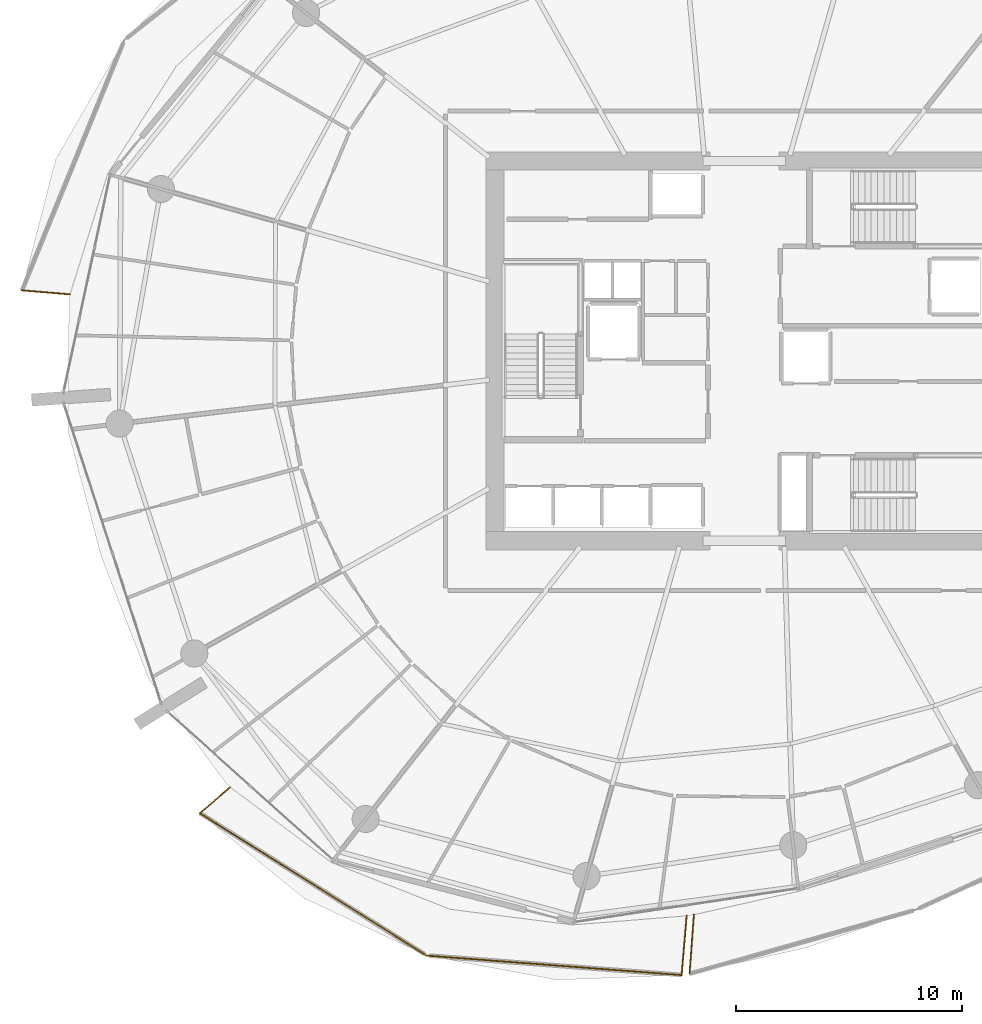
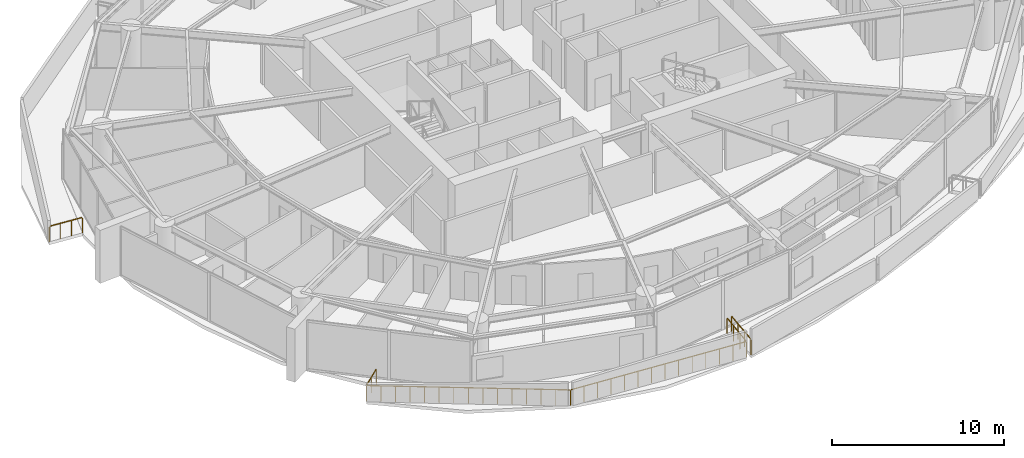
# One storey, part 17 of 23: 6 railings.
"""IFC4 building model written with IfcOpenShell, lengths in metres."""

from ifc_helpers import new_model, si_unit, direction, frame, origin, origin_2d, place, context, subcontext, project, spatial, rectangle, extrude, material, type_object, element, save


model = new_model("IFC4")

# Units and contexts
model_context = context("Model", 3, precision=1e-05, world=origin(), true_north=direction((0.0, 1.0)))
body_context = subcontext(model_context, "Body", "Model", "MODEL_VIEW")
ifc_project = project(units=[si_unit("LENGTHUNIT", "METRE"), si_unit("AREAUNIT", "SQUARE_METRE"), si_unit("VOLUMEUNIT", "CUBIC_METRE"), si_unit("PLANEANGLEUNIT", "RADIAN"), si_unit("MASSUNIT", "GRAM", prefix="KILO")], contexts=[model_context])

# Site, building, storey
site_placement = place(None, origin())
site = spatial("IfcSite", under=ifc_project, at=site_placement, CompositionType="ELEMENT")
building_placement = place(site_placement, origin())
building = spatial("IfcBuilding", under=site, at=building_placement, Name="Kazma Halo Residences", CompositionType="ELEMENT")
storey_placement = place(building_placement, frame((0.0, 0.0, 108.89990234375)))
storey = spatial("IfcBuildingStorey", under=building, at=storey_placement, Name="L27", CompositionType="ELEMENT", Elevation=108.89990234375)

# Railings
ifc_material = material(Name="Aluminium AW-6063 T6 Brushed Cap Rail", Category="aluminium")
railing_type = type_object("IfcRailingType", Name="RLG-BAL-CAP-1120", PredefinedType="BALUSTRADE", material=ifc_material)
railing_1_placement = place(storey_placement, frame((16.47119140625, 44.67529296875, 0.0)))
element("IfcRailing", 1, at=railing_1_placement, inside=storey, type_object=railing_type, Name="L27 NW wave balcony guard 4", PredefinedType="BALUSTRADE", context=body_context, shape_type="SweptSolid", body=[
    extrude(rectangle(XDim=0.050048828125, YDim=0.050048828125, at=origin_2d()), frame((0.04248046875, -0.003662109375, 1.09521484375), z_axis=(0.99641488655, -0.084601263952, 0.0), x_axis=(0.084601263952, 0.99641488655, 0.0)), (0.0, 0.0, 1.0), 2.044677734375),
    extrude(rectangle(XDim=0.0400390625, YDim=0.0400390625, at=origin_2d()), origin(), (0.0, 0.0, 1.0), 1.05810546875),
    extrude(rectangle(XDim=0.0400390625, YDim=0.0400390625, at=origin_2d()), frame((0.707275390625, -0.06005859375, 0.0)), (0.0, 0.0, 1.0), 1.05810546875),
    extrude(rectangle(XDim=0.0400390625, YDim=0.0400390625, at=origin_2d()), frame((1.414794921875, -0.1201171875, 0.0)), (0.0, 0.0, 1.0), 1.05810546875),
    extrude(rectangle(XDim=0.0400390625, YDim=0.0400390625, at=origin_2d()), frame((2.1220703125, -0.18017578125, 0.0)), (0.0, 0.0, 1.0), 1.05810546875),
])
railing_2_placement = place(storey_placement, frame((25.676025390625, 22.696533203125, 0.0)))
element("IfcRailing", 2, at=railing_2_placement, inside=storey, type_object=railing_type, Name="L27 SW wave balcony guard 1", PredefinedType="BALUSTRADE", context=body_context, shape_type="SweptSolid", body=[
    extrude(rectangle(XDim=0.050048828125, YDim=0.050048828125, at=origin_2d()), frame((-0.0322265625, -0.02783203125, 1.09521484375), z_axis=(-0.756398434007, -0.654111159537, 0.0), x_axis=(0.654111159537, -0.756398434007, 0.0)), (0.0, 0.0, 1.0), 1.674072265625),
    extrude(rectangle(XDim=0.0400390625, YDim=0.0400390625, at=origin_2d()), origin(), (0.0, 0.0, 1.0), 1.05810546875),
    extrude(rectangle(XDim=0.0400390625, YDim=0.0400390625, at=origin_2d()), frame((-0.665283203125, -0.5751953125, 0.0)), (0.0, 0.0, 1.0), 1.05810546875),
    extrude(rectangle(XDim=0.0400390625, YDim=0.0400390625, at=origin_2d()), frame((-1.33056640625, -1.150634765625, 0.0)), (0.0, 0.0, 1.0), 1.05810546875),
])
railing_3_placement = place(storey_placement, frame((24.345458984375, 21.5458984375, 0.0)))
element("IfcRailing", 3, at=railing_3_placement, inside=storey, type_object=railing_type, Name="L27 SW wave balcony guard 2", PredefinedType="BALUSTRADE", context=body_context, shape_type="SweptSolid", body=[
    extrude(rectangle(XDim=0.050048828125, YDim=0.050048828125, at=origin_2d()), frame((0.0361328125, -0.022705078125, 1.09521484375), z_axis=(0.846863203763, -0.531810787887, 0.0), x_axis=(0.531810787887, 0.846863203763, 0.0)), (0.0, 0.0, 1.0), 11.752685546875),
    extrude(rectangle(XDim=0.0400390625, YDim=0.0400390625, at=origin_2d()), origin(), (0.0, 0.0, 1.0), 1.05810546875),
    extrude(rectangle(XDim=0.0400390625, YDim=0.0400390625, at=origin_2d()), frame((0.716064453125, -0.44970703125, 0.0)), (0.0, 0.0, 1.0), 1.05810546875),
    extrude(rectangle(XDim=0.0400390625, YDim=0.0400390625, at=origin_2d()), frame((1.43212890625, -0.8994140625, 0.0)), (0.0, 0.0, 1.0), 1.05810546875),
    extrude(rectangle(XDim=0.0400390625, YDim=0.0400390625, at=origin_2d()), frame((2.148193359375, -1.34912109375, 0.0)), (0.0, 0.0, 1.0), 1.05810546875),
    extrude(rectangle(XDim=0.0400390625, YDim=0.0400390625, at=origin_2d()), frame((2.8642578125, -1.798583984375, 0.0)), (0.0, 0.0, 1.0), 1.05810546875),
    extrude(rectangle(XDim=0.0400390625, YDim=0.0400390625, at=origin_2d()), frame((3.580322265625, -2.248291015625, 0.0)), (0.0, 0.0, 1.0), 1.05810546875),
    extrude(rectangle(XDim=0.0400390625, YDim=0.0400390625, at=origin_2d()), frame((4.29638671875, -2.697998046875, 0.0)), (0.0, 0.0, 1.0), 1.05810546875),
    extrude(rectangle(XDim=0.0400390625, YDim=0.0400390625, at=origin_2d()), frame((5.012451171875, -3.147705078125, 0.0)), (0.0, 0.0, 1.0), 1.05810546875),
    extrude(rectangle(XDim=0.0400390625, YDim=0.0400390625, at=origin_2d()), frame((5.728515625, -3.597412109375, 0.0)), (0.0, 0.0, 1.0), 1.05810546875),
    extrude(rectangle(XDim=0.0400390625, YDim=0.0400390625, at=origin_2d()), frame((6.444580078125, -4.047119140625, 0.0)), (0.0, 0.0, 1.0), 1.05810546875),
    extrude(rectangle(XDim=0.0400390625, YDim=0.0400390625, at=origin_2d()), frame((7.16064453125, -4.496826171875, 0.0)), (0.0, 0.0, 1.0), 1.05810546875),
    extrude(rectangle(XDim=0.0400390625, YDim=0.0400390625, at=origin_2d()), frame((7.876708984375, -4.9462890625, 0.0)), (0.0, 0.0, 1.0), 1.05810546875),
    extrude(rectangle(XDim=0.0400390625, YDim=0.0400390625, at=origin_2d()), frame((8.5927734375, -5.39599609375, 0.0)), (0.0, 0.0, 1.0), 1.05810546875),
    extrude(rectangle(XDim=0.0400390625, YDim=0.0400390625, at=origin_2d()), frame((9.308837890625, -5.845703125, 0.0)), (0.0, 0.0, 1.0), 1.05810546875),
    extrude(rectangle(XDim=0.0400390625, YDim=0.0400390625, at=origin_2d()), frame((10.02490234375, -6.29541015625, 0.0)), (0.0, 0.0, 1.0), 1.05810546875),
])
railing_4_placement = place(storey_placement, frame((34.370361328125, 15.25048828125, 0.0)))
element("IfcRailing", 4, at=railing_4_placement, inside=storey, type_object=railing_type, Name="L27 SW wave balcony guard 3", PredefinedType="BALUSTRADE", context=body_context, shape_type="SweptSolid", body=[
    extrude(rectangle(XDim=0.050048828125, YDim=0.050048828125, at=origin_2d()), frame((0.04248046875, -0.003173828125, 1.09521484375), z_axis=(0.997087631922, -0.076264370895, 0.0), x_axis=(0.076264370895, 0.997087631922, 0.0)), (0.0, 0.0, 1.0), 11.234619140625),
    extrude(rectangle(XDim=0.0400390625, YDim=0.0400390625, at=origin_2d()), origin(), (0.0, 0.0, 1.0), 1.05810546875),
    extrude(rectangle(XDim=0.0400390625, YDim=0.0400390625, at=origin_2d()), frame((0.8681640625, -0.06640625, 0.0)), (0.0, 0.0, 1.0), 1.05810546875),
    extrude(rectangle(XDim=0.0400390625, YDim=0.0400390625, at=origin_2d()), frame((1.736328125, -0.1328125, 0.0)), (0.0, 0.0, 1.0), 1.05810546875),
    extrude(rectangle(XDim=0.0400390625, YDim=0.0400390625, at=origin_2d()), frame((2.6044921875, -0.19921875, 0.0)), (0.0, 0.0, 1.0), 1.05810546875),
    extrude(rectangle(XDim=0.0400390625, YDim=0.0400390625, at=origin_2d()), frame((3.472900390625, -0.265625, 0.0)), (0.0, 0.0, 1.0), 1.05810546875),
    extrude(rectangle(XDim=0.0400390625, YDim=0.0400390625, at=origin_2d()), frame((4.341064453125, -0.33203125, 0.0)), (0.0, 0.0, 1.0), 1.05810546875),
    extrude(rectangle(XDim=0.0400390625, YDim=0.0400390625, at=origin_2d()), frame((5.209228515625, -0.3984375, 0.0)), (0.0, 0.0, 1.0), 1.05810546875),
    extrude(rectangle(XDim=0.0400390625, YDim=0.0400390625, at=origin_2d()), frame((6.077392578125, -0.46484375, 0.0)), (0.0, 0.0, 1.0), 1.05810546875),
    extrude(rectangle(XDim=0.0400390625, YDim=0.0400390625, at=origin_2d()), frame((6.945556640625, -0.53125, 0.0)), (0.0, 0.0, 1.0), 1.05810546875),
    extrude(rectangle(XDim=0.0400390625, YDim=0.0400390625, at=origin_2d()), frame((7.813720703125, -0.59765625, 0.0)), (0.0, 0.0, 1.0), 1.05810546875),
    extrude(rectangle(XDim=0.0400390625, YDim=0.0400390625, at=origin_2d()), frame((8.68212890625, -0.6640625, 0.0)), (0.0, 0.0, 1.0), 1.05810546875),
    extrude(rectangle(XDim=0.0400390625, YDim=0.0400390625, at=origin_2d()), frame((9.55029296875, -0.73046875, 0.0)), (0.0, 0.0, 1.0), 1.05810546875),
    extrude(rectangle(XDim=0.0400390625, YDim=0.0400390625, at=origin_2d()), frame((10.41845703125, -0.796875, 0.0)), (0.0, 0.0, 1.0), 1.05810546875),
    extrude(rectangle(XDim=0.0400390625, YDim=0.0400390625, at=origin_2d()), frame((11.28662109375, -0.86328125, 0.0)), (0.0, 0.0, 1.0), 1.05810546875),
])
railing_5_placement = place(storey_placement, frame((45.656982421875, 14.38720703125, 0.0)))
element("IfcRailing", 5, at=railing_5_placement, inside=storey, type_object=railing_type, Name="L27 SW wave balcony guard 4", PredefinedType="BALUSTRADE", context=body_context, shape_type="SweptSolid", body=[
    extrude(rectangle(XDim=0.050048828125, YDim=0.050048828125, at=origin_2d()), frame((0.003662109375, 0.04248046875, 1.09521484375), z_axis=(0.084574307867, 0.996417174907, 0.0), x_axis=(-0.996417174907, 0.084574307867, 0.0)), (0.0, 0.0, 1.0), 2.544677734375),
    extrude(rectangle(XDim=0.0400390625, YDim=0.0400390625, at=origin_2d()), origin(), (0.0, 0.0, 1.0), 1.05810546875),
    extrude(rectangle(XDim=0.0400390625, YDim=0.0400390625, at=origin_2d()), frame((0.07421875, 0.87353515625, 0.0)), (0.0, 0.0, 1.0), 1.05810546875),
    extrude(rectangle(XDim=0.0400390625, YDim=0.0400390625, at=origin_2d()), frame((0.148193359375, 1.746826171875, 0.0)), (0.0, 0.0, 1.0), 1.05810546875),
    extrude(rectangle(XDim=0.0400390625, YDim=0.0400390625, at=origin_2d()), frame((0.222412109375, 2.620361328125, 0.0)), (0.0, 0.0, 1.0), 1.05810546875),
])
railing_6_placement = place(storey_placement, frame((46.18994140625, 17.05419921875, 0.0)))
element("IfcRailing", 6, at=railing_6_placement, inside=storey, type_object=railing_type, Name="L27 SSE wave balcony guard 1", PredefinedType="BALUSTRADE", context=body_context, shape_type="SweptSolid", body=[
    extrude(rectangle(XDim=0.050048828125, YDim=0.050048828125, at=origin_2d()), frame((-0.003173828125, -0.04248046875, 1.09521484375), z_axis=(-0.072357392934, -0.997378768416, 0.0), x_axis=(0.997378768416, -0.072357392934, 0.0)), (0.0, 0.0, 1.0), 2.5400390625),
    extrude(rectangle(XDim=0.0400390625, YDim=0.0400390625, at=origin_2d()), origin(), (0.0, 0.0, 1.0), 1.05810546875),
    extrude(rectangle(XDim=0.0400390625, YDim=0.0400390625, at=origin_2d()), frame((-0.063232421875, -0.872802734375, 0.0)), (0.0, 0.0, 1.0), 1.05810546875),
    extrude(rectangle(XDim=0.0400390625, YDim=0.0400390625, at=origin_2d()), frame((-0.126708984375, -1.745361328125, 0.0)), (0.0, 0.0, 1.0), 1.05810546875),
    extrude(rectangle(XDim=0.0400390625, YDim=0.0400390625, at=origin_2d()), frame((-0.18994140625, -2.6181640625, 0.0)), (0.0, 0.0, 1.0), 1.05810546875),
])

save(model, "model.ifc")
